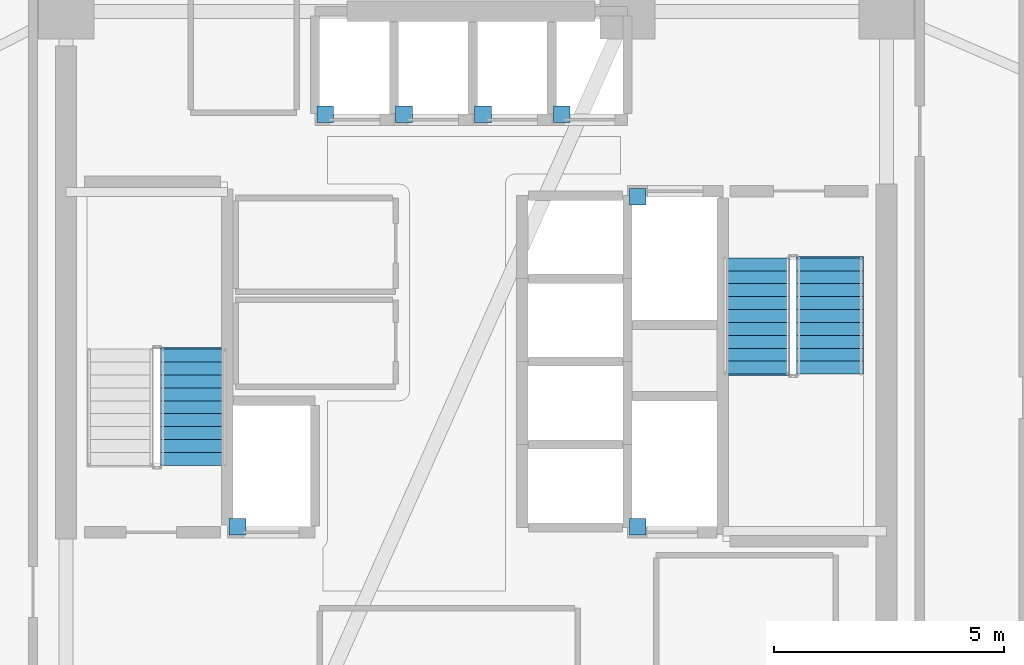
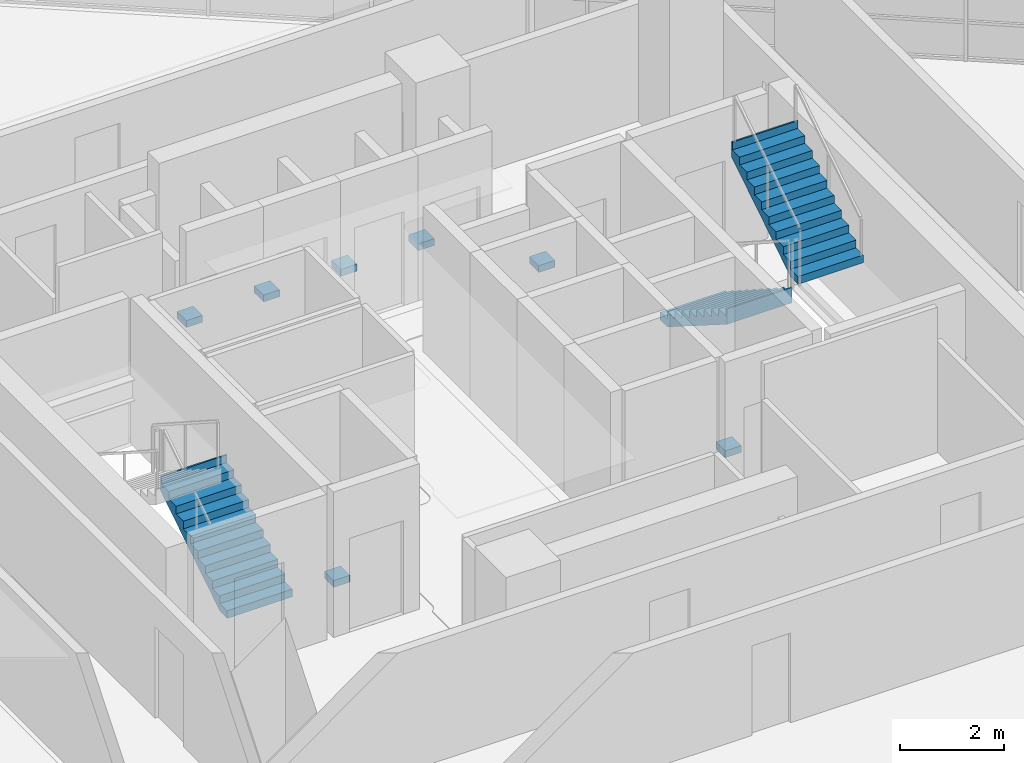
# One storey, part 13 of 16: 7 discrete accessories, 3 stair flights, 2 elements without a shape of their own.
"""IFC4 building model written with IfcOpenShell, lengths in metres."""

from ifc_helpers import new_model, si_unit, direction, frame, origin, origin_2d, place, context, subcontext, project, spatial, polyline, rectangle, outline, extrude, material, type_object, element, aggregate, save


model = new_model("IFC4")

# Units and contexts
model_context = context("Model", 3, precision=1e-05, world=origin(), true_north=direction((0.0, 1.0)))
body_context = subcontext(model_context, "Body", "Model", "MODEL_VIEW")
ifc_project = project(units=[si_unit("LENGTHUNIT", "METRE"), si_unit("AREAUNIT", "SQUARE_METRE"), si_unit("VOLUMEUNIT", "CUBIC_METRE"), si_unit("PLANEANGLEUNIT", "RADIAN"), si_unit("MASSUNIT", "GRAM", prefix="KILO")], contexts=[model_context])

# Site, building, storey
site_placement = place(None, origin())
site = spatial("IfcSite", under=ifc_project, at=site_placement, CompositionType="ELEMENT")
building_placement = place(site_placement, origin())
building = spatial("IfcBuilding", under=site, at=building_placement, Name="Tharavind Bronze Gate", CompositionType="ELEMENT")
storey_placement = place(building_placement, frame((0.0, 0.0, 123.25)))
storey = spatial("IfcBuildingStorey", under=building, at=storey_placement, Name="L31", CompositionType="ELEMENT", Elevation=123.25)

# Stair, stair flight
ifc_material_1 = material(Name="Concrete C40/50", Category="concrete")
stair_type = type_object("IfcStairType", Name="CORE HALF TURN STAIR 1450", PredefinedType="HALF_TURN_STAIR", material=ifc_material_1)
stair_1_placement = place(storey_placement, origin())
stair_1 = element("IfcStair", 1, at=stair_1_placement, inside=storey, type_object=stair_type, Name="L31 Protected Exit Stair ST1", PredefinedType="HALF_TURN_STAIR")
stair_flight_type = type_object("IfcStairFlightType", Name="CORE STAIR FLIGHT 1450", PredefinedType="STRAIGHT", material=ifc_material_1)
stair_flight_1_placement = place(storey_placement, frame((-6.125, -2.25, 0.0), z_axis=(0.0, 0.0, 1.0), x_axis=(0.0, 1.0, 0.0)))
stair_flight_1 = element("IfcStairFlight", 2, at=stair_flight_1_placement, type_object=stair_flight_type, Name="ST1 flight 1", NumberOfRisers=10, NumberOfTreads=9, PredefinedType="STRAIGHT", RiserHeight=0.18, TreadLength=0.28, context=body_context, shape_type="SweptSolid", body=[
    extrude(outline(polyline([(0.0, 0.0), (0.0, 0.179931640625), (0.280029296875, 0.179931640625), (0.280029296875, 0.360107421875), (0.56005859375, 0.360107421875), (0.56005859375, 0.5400390625), (0.840087890625, 0.5400390625), (0.840087890625, 0.719970703125), (1.1201171875, 0.719970703125), (1.1201171875, 0.89990234375), (1.39990234375, 0.89990234375), (1.39990234375, 1.080078125), (1.679931640625, 1.080078125), (1.679931640625, 1.260009765625), (1.9599609375, 1.260009765625), (1.9599609375, 1.43994140625), (2.239990234375, 1.43994140625), (2.239990234375, 1.6201171875), (2.52001953125, 1.6201171875), (2.52001953125, 1.800048828125), (2.555908203125, 1.800048828125), (2.555908203125, 1.44189453125), (0.277099609375, 0.0), (0.0, 0.0)])), frame((0.0, 0.72509765625, 0.0), z_axis=(0.0, -1.0, 0.0), x_axis=(1.0, 0.0, 0.0)), (0.0, 0.0, 1.0), 1.449951171875),
])
aggregate(stair_1, [stair_flight_1])

# Stair, stair flights
stair_2_placement = place(storey_placement, origin())
stair_2 = element("IfcStair", 3, at=stair_2_placement, inside=storey, type_object=stair_type, Name="L31 Protected Exit Stair ST2", PredefinedType="HALF_TURN_STAIR")
stair_flight_2_placement = place(storey_placement, frame((6.074951171875, 2.25, 0.0), z_axis=(0.0, 0.0, 1.0), x_axis=(0.0, -1.0, 0.0)))
stair_flight_2 = element("IfcStairFlight", 4, at=stair_flight_2_placement, type_object=stair_flight_type, Name="ST2 flight 1", NumberOfRisers=10, NumberOfTreads=9, PredefinedType="STRAIGHT", RiserHeight=0.18, TreadLength=0.28, context=body_context, shape_type="SweptSolid", body=[
    extrude(outline(polyline([(0.0, 0.0), (0.0, 0.179931640625), (0.280029296875, 0.179931640625), (0.280029296875, 0.360107421875), (0.56005859375, 0.360107421875), (0.56005859375, 0.5400390625), (0.840087890625, 0.5400390625), (0.840087890625, 0.719970703125), (1.1201171875, 0.719970703125), (1.1201171875, 0.89990234375), (1.39990234375, 0.89990234375), (1.39990234375, 1.080078125), (1.679931640625, 1.080078125), (1.679931640625, 1.260009765625), (1.9599609375, 1.260009765625), (1.9599609375, 1.43994140625), (2.239990234375, 1.43994140625), (2.239990234375, 1.6201171875), (2.52001953125, 1.6201171875), (2.52001953125, 1.800048828125), (2.555908203125, 1.800048828125), (2.555908203125, 1.44189453125), (0.277099609375, 0.0), (0.0, 0.0)])), frame((0.0, 0.72509765625, 0.0), z_axis=(0.0, -1.0, 0.0), x_axis=(1.0, 0.0, 0.0)), (0.0, 0.0, 1.0), 1.449951171875),
])
stair_flight_3_placement = place(storey_placement, frame((7.675048828125, -0.27001953125, 1.800048828125), z_axis=(0.0, 0.0, 1.0), x_axis=(0.0, 1.0, 0.0)))
stair_flight_3 = element("IfcStairFlight", 5, at=stair_flight_3_placement, type_object=stair_flight_type, Name="ST2 flight 2", NumberOfRisers=10, NumberOfTreads=9, PredefinedType="STRAIGHT", RiserHeight=0.18, TreadLength=0.28, context=body_context, shape_type="SweptSolid", body=[
    extrude(outline(polyline([(0.0, 0.0), (0.0, 0.179931640625), (0.280029296875, 0.179931640625), (0.280029296875, 0.360107421875), (0.56005859375, 0.360107421875), (0.56005859375, 0.5400390625), (0.840087890625, 0.5400390625), (0.840087890625, 0.719970703125), (1.1201171875, 0.719970703125), (1.1201171875, 0.89990234375), (1.39990234375, 0.89990234375), (1.39990234375, 1.080078125), (1.679931640625, 1.080078125), (1.679931640625, 1.260009765625), (1.9599609375, 1.260009765625), (1.9599609375, 1.43994140625), (2.239990234375, 1.43994140625), (2.239990234375, 1.6201171875), (2.52001953125, 1.6201171875), (2.52001953125, 1.800048828125), (2.555908203125, 1.800048828125), (2.555908203125, 1.44189453125), (0.277099609375, 0.0), (0.0, 0.0)])), frame((0.0, 0.72509765625, 0.0), z_axis=(0.0, -1.0, 0.0), x_axis=(1.0, 0.0, 0.0)), (0.0, 0.0, 1.0), 1.449951171875),
])
aggregate(stair_2, [stair_flight_2, stair_flight_3])

# Discrete accessories
ifc_material_2 = material(Name="Galvanised Steel S355", Category="steel")
discrete_accessory_type = type_object("IfcDiscreteAccessoryType", Name="LIFT GUIDE RAIL BRACKET", PredefinedType="BRACKET", material=ifc_material_2)
for number, where, z_axis, x_axis, name in (
    (6, (-3.280029296875, 5.3701171875, 1.1201171875), (0.0, 0.0, 1.0), (1.0, 0.0, 0.0), "Lift PL5 guide rail bracket at L31"),
    (7, (-1.5673828125, 5.3701171875, 1.1201171875), (0.0, 0.0, 1.0), (1.0, 0.0, 0.0), "Lift PL6 guide rail bracket at L31"),
    (8, (0.14501953125, 5.3701171875, 1.1201171875), (0.0, 0.0, 1.0), (1.0, 0.0, 0.0), "Lift PL7 guide rail bracket at L31"),
    (9, (1.857421875, 5.3701171875, 1.1201171875), (0.0, 0.0, 1.0), (1.0, 0.0, 0.0), "Lift PL8 guide rail bracket at L31"),
    (10, (-5.179931640625, -3.580078125, 1.1201171875), (0.0, 0.0, 1.0), (1.0, 0.0, 0.0), "Lift FFL1 guide rail bracket at L31"),
    (11, (3.5, 3.580078125, 1.1201171875), (0.0, 0.0, 1.0), (1.0, 0.0, 0.0), "Lift FFL2 guide rail bracket at L31"),
    (12, (3.5, -3.580078125, 1.1201171875), (0.0, 0.0, 1.0), (1.0, 0.0, 0.0), "Lift SVL1 guide rail bracket at L31"),
):
    element("IfcDiscreteAccessory", number, at=place(storey_placement, frame(where, z_axis=z_axis, x_axis=x_axis)), inside=storey, type_object=discrete_accessory_type, Name=name, PredefinedType="BRACKET", context=body_context, shape_type="SweptSolid", body=[
        extrude(rectangle(XDim=0.360107421875, YDim=0.360107421875, at=origin_2d()), origin(), (0.0, 0.0, 1.0), 0.159912109375),
    ])

save(model, "model.ifc")
